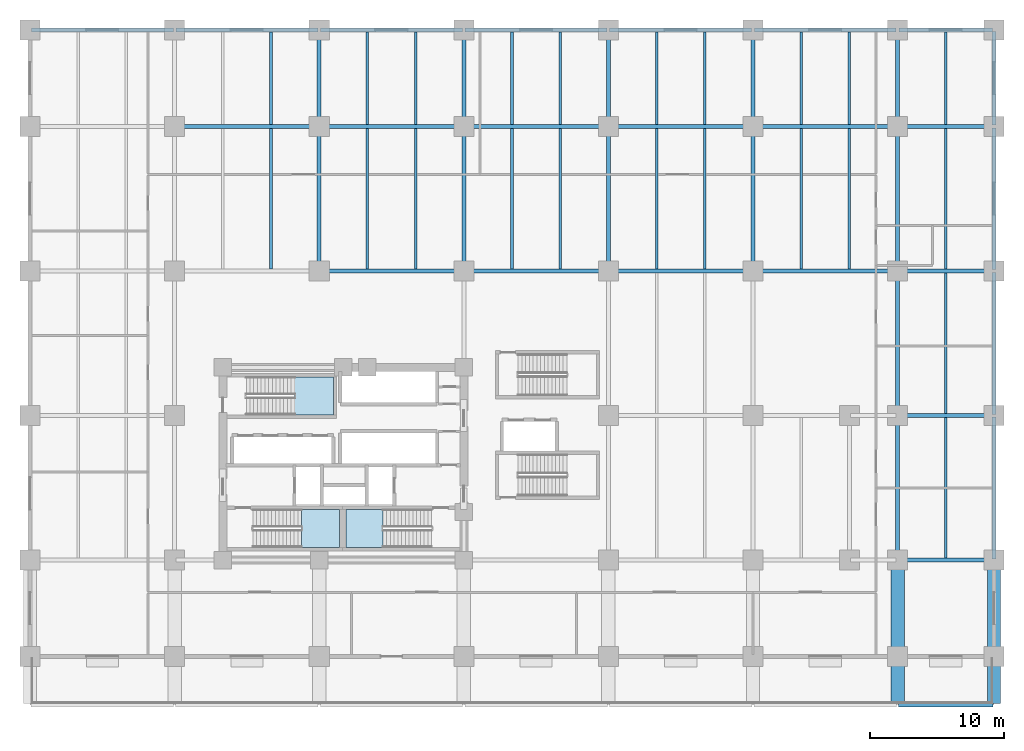
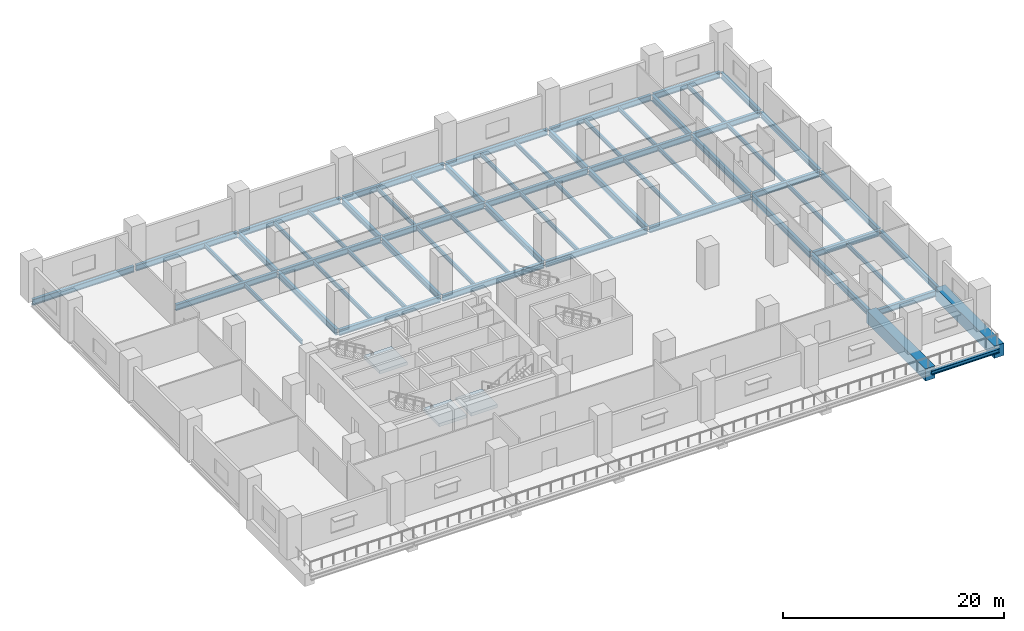
# One storey, part 2 of 11: 61 beams, 3 slabs, 3 elements without a shape of their own.
"""IFC4 building model written with IfcOpenShell, lengths in metres."""

from ifc_helpers import new_model, si_unit, direction, frame, origin, origin_2d, place, context, subcontext, project, spatial, polyline, rectangle, i_section, outline, extrude, material, layer, layer_set, material_profile, profile_set, type_object, element, aggregate, save


model = new_model("IFC4")

# Units and contexts
model_context = context("Model", 3, precision=1e-05, world=origin(), true_north=direction((0.0, 1.0)))
body_context = subcontext(model_context, "Body", "Model", "MODEL_VIEW")
ifc_project = project(units=[si_unit("LENGTHUNIT", "METRE"), si_unit("AREAUNIT", "SQUARE_METRE"), si_unit("VOLUMEUNIT", "CUBIC_METRE"), si_unit("PLANEANGLEUNIT", "RADIAN"), si_unit("MASSUNIT", "GRAM", prefix="KILO")], contexts=[model_context])

# Site, building, storey
site_placement = place(None, origin())
site = spatial("IfcSite", under=ifc_project, at=site_placement, CompositionType="ELEMENT")
building_placement = place(site_placement, origin())
building = spatial("IfcBuilding", under=site, at=building_placement, Name="Solnavia Interchange Tower", CompositionType="ELEMENT")
storey_placement = place(building_placement, frame((0.0, 0.0, 14.800048828125)))
storey = spatial("IfcBuildingStorey", under=building, at=storey_placement, Name="L03", CompositionType="ELEMENT", Elevation=14.800048828125)

# Beams
ifc_material_1 = material(Name="Steel S460", Category="steel")
ifc_material_profile_1 = material_profile(ifc_material_1, i_section(OverallWidth=0.300048828125, OverallDepth=0.449951171875, WebThickness=0.013916015625, FlangeThickness=0.02587890625, FilletRadius=0.027099609375, at=origin_2d()), Name="HEB 450")
ifc_profile_set_1 = profile_set([ifc_material_profile_1], Name="Steel S460")
beam_type_1 = type_object("IfcBeamType", Name="Beam-Girder-HEB450", PredefinedType="BEAM", material=ifc_profile_set_1)
beam_1_placement = place(storey_placement, frame((64.8798828125, 0.0, -0.525146484375), z_axis=(1.0, 0.0, 0.0), x_axis=(0.0, 1.0, 0.0)))
element("IfcBeam", 1, at=beam_1_placement, inside=storey, type_object=beam_type_1, Name="GRD-L03-RFS15 South terrace edge girder", PredefinedType="BEAM", context=body_context, shape_type="SweptSolid", body=[
    extrude(i_section(OverallWidth=0.300048828125, OverallDepth=0.449951171875, WebThickness=0.013916015625, FlangeThickness=0.02587890625, FilletRadius=0.027099609375, at=origin_2d()), origin(), (0.0, 0.0, 1.0), 7.0400390625),
])
ifc_material_profile_2 = material_profile(ifc_material_1, i_section(OverallWidth=0.300048828125, OverallDepth=0.64990234375, WebThickness=0.01611328125, FlangeThickness=0.031005859375, FilletRadius=0.027099609375, at=origin_2d()), Name="HEB 650")
ifc_profile_set_2 = profile_set([ifc_material_profile_2], Name="Steel S460")
beam_type_2 = type_object("IfcBeamType", Name="Beam-Girder-HEB650", PredefinedType="BEAM", material=ifc_profile_set_2)
for number, where, z_axis, x_axis, name in (
    (2, (64.89990234375, 10.800048828125, -0.625), (1.0, 0.0, 0.0), (0.0, 1.0, 0.0), "GRD-L03-09 Podium primary girder"),
    (3, (64.89990234375, 21.60009765625, -0.625), (1.0, 0.0, 0.0), (0.0, 1.0, 0.0), "GRD-L03-14 Podium primary girder"),
):
    element("IfcBeam", number, at=place(storey_placement, frame(where, z_axis=z_axis, x_axis=x_axis)), inside=storey, type_object=beam_type_2, Name=name, PredefinedType="BEAM", context=body_context, shape_type="SweptSolid", body=[
        extrude(i_section(OverallWidth=0.300048828125, OverallDepth=0.64990234375, WebThickness=0.01611328125, FlangeThickness=0.031005859375, FilletRadius=0.027099609375, at=origin_2d()), origin(), (0.0, 0.0, 1.0), 7.0),
    ])
for number, where, z_axis, x_axis, name in (
    (4, (21.699951171875, 32.39990234375, -0.625), (1.0, 0.0, 0.0), (0.0, 1.0, 0.0), "GRD-L03-18 Podium primary girder"),
    (5, (32.5, 32.39990234375, -0.625), (1.0, 0.0, 0.0), (0.0, 1.0, 0.0), "GRD-L03-19 Podium primary girder"),
):
    element("IfcBeam", number, at=place(storey_placement, frame(where, z_axis=z_axis, x_axis=x_axis)), inside=storey, type_object=beam_type_2, Name=name, PredefinedType="BEAM", context=body_context, shape_type="SweptSolid", body=[
        extrude(i_section(OverallWidth=0.300048828125, OverallDepth=0.64990234375, WebThickness=0.01611328125, FlangeThickness=0.031005859375, FilletRadius=0.027099609375, at=origin_2d()), origin(), (0.0, 0.0, 1.0), 10.60009765625),
    ])
for number, where, z_axis, x_axis, name in (
    (6, (43.300048828125, 32.39990234375, -0.625), (1.0, 0.0, 0.0), (0.0, 1.0, 0.0), "GRD-L03-20 Podium primary girder"),
    (7, (54.10009765625, 32.39990234375, -0.625), (1.0, 0.0, 0.0), (0.0, 1.0, 0.0), "GRD-L03-21 Podium primary girder"),
):
    element("IfcBeam", number, at=place(storey_placement, frame(where, z_axis=z_axis, x_axis=x_axis)), inside=storey, type_object=beam_type_2, Name=name, PredefinedType="BEAM", context=body_context, shape_type="SweptSolid", body=[
        extrude(i_section(OverallWidth=0.300048828125, OverallDepth=0.64990234375, WebThickness=0.01611328125, FlangeThickness=0.031005859375, FilletRadius=0.027099609375, at=origin_2d()), origin(), (0.0, 0.0, 1.0), 10.599853515625),
    ])
beam_2_placement = place(storey_placement, frame((64.89990234375, 32.39990234375, -0.625), z_axis=(1.0, 0.0, 0.0), x_axis=(0.0, 1.0, 0.0)))
element("IfcBeam", 8, at=beam_2_placement, inside=storey, type_object=beam_type_2, Name="GRD-L03-22 Podium primary girder", PredefinedType="BEAM", context=body_context, shape_type="SweptSolid", body=[
    extrude(i_section(OverallWidth=0.300048828125, OverallDepth=0.64990234375, WebThickness=0.01611328125, FlangeThickness=0.031005859375, FilletRadius=0.027099609375, at=origin_2d()), origin(), (0.0, 0.0, 1.0), 7.0),
])
for number, where, z_axis, x_axis, name in (
    (9, (10.89990234375, 43.199951171875, -0.625), (1.0, 0.0, 0.0), (0.0, 1.0, 0.0), "GRD-L03-24 Podium primary girder"),
    (10, (21.699951171875, 43.199951171875, -0.625), (1.0, 0.0, 0.0), (0.0, 1.0, 0.0), "GRD-L03-25 Podium primary girder"),
    (11, (32.5, 43.199951171875, -0.625), (1.0, 0.0, 0.0), (0.0, 1.0, 0.0), "GRD-L03-26 Podium primary girder"),
):
    element("IfcBeam", number, at=place(storey_placement, frame(where, z_axis=z_axis, x_axis=x_axis)), inside=storey, type_object=beam_type_2, Name=name, PredefinedType="BEAM", context=body_context, shape_type="SweptSolid", body=[
        extrude(i_section(OverallWidth=0.300048828125, OverallDepth=0.64990234375, WebThickness=0.01611328125, FlangeThickness=0.031005859375, FilletRadius=0.027099609375, at=origin_2d()), origin(), (0.0, 0.0, 1.0), 10.60009765625),
    ])
for number, where, z_axis, x_axis, name in (
    (12, (43.300048828125, 43.199951171875, -0.625), (1.0, 0.0, 0.0), (0.0, 1.0, 0.0), "GRD-L03-27 Podium primary girder"),
    (13, (54.10009765625, 43.199951171875, -0.625), (1.0, 0.0, 0.0), (0.0, 1.0, 0.0), "GRD-L03-28 Podium primary girder"),
):
    element("IfcBeam", number, at=place(storey_placement, frame(where, z_axis=z_axis, x_axis=x_axis)), inside=storey, type_object=beam_type_2, Name=name, PredefinedType="BEAM", context=body_context, shape_type="SweptSolid", body=[
        extrude(i_section(OverallWidth=0.300048828125, OverallDepth=0.64990234375, WebThickness=0.01611328125, FlangeThickness=0.031005859375, FilletRadius=0.027099609375, at=origin_2d()), origin(), (0.0, 0.0, 1.0), 10.599853515625),
    ])
beam_3_placement = place(storey_placement, frame((64.89990234375, 43.199951171875, -0.625), z_axis=(1.0, 0.0, 0.0), x_axis=(0.0, 1.0, 0.0)))
element("IfcBeam", 14, at=beam_3_placement, inside=storey, type_object=beam_type_2, Name="GRD-L03-29 Podium primary girder", PredefinedType="BEAM", context=body_context, shape_type="SweptSolid", body=[
    extrude(i_section(OverallWidth=0.300048828125, OverallDepth=0.64990234375, WebThickness=0.01611328125, FlangeThickness=0.031005859375, FilletRadius=0.027099609375, at=origin_2d()), origin(), (0.0, 0.0, 1.0), 7.0),
])
beam_4_placement = place(storey_placement, frame((0.10009765625, 50.39990234375, -0.625), z_axis=(1.0, 0.0, 0.0), x_axis=(0.0, 1.0, 0.0)))
element("IfcBeam", 15, at=beam_4_placement, inside=storey, type_object=beam_type_2, Name="GRD-L03-30 Podium primary girder", PredefinedType="BEAM", context=body_context, shape_type="SweptSolid", body=[
    extrude(i_section(OverallWidth=0.300048828125, OverallDepth=0.64990234375, WebThickness=0.01611328125, FlangeThickness=0.031005859375, FilletRadius=0.027099609375, at=origin_2d()), origin(), (0.0, 0.0, 1.0), 10.599853515625),
])
for number, where, z_axis, x_axis, name in (
    (16, (10.89990234375, 50.39990234375, -0.625), (1.0, 0.0, 0.0), (0.0, 1.0, 0.0), "GRD-L03-31 Podium primary girder"),
    (17, (21.699951171875, 50.39990234375, -0.625), (1.0, 0.0, 0.0), (0.0, 1.0, 0.0), "GRD-L03-32 Podium primary girder"),
    (18, (32.5, 50.39990234375, -0.625), (1.0, 0.0, 0.0), (0.0, 1.0, 0.0), "GRD-L03-33 Podium primary girder"),
):
    element("IfcBeam", number, at=place(storey_placement, frame(where, z_axis=z_axis, x_axis=x_axis)), inside=storey, type_object=beam_type_2, Name=name, PredefinedType="BEAM", context=body_context, shape_type="SweptSolid", body=[
        extrude(i_section(OverallWidth=0.300048828125, OverallDepth=0.64990234375, WebThickness=0.01611328125, FlangeThickness=0.031005859375, FilletRadius=0.027099609375, at=origin_2d()), origin(), (0.0, 0.0, 1.0), 10.60009765625),
    ])
for number, where, z_axis, x_axis, name in (
    (19, (43.300048828125, 50.39990234375, -0.625), (1.0, 0.0, 0.0), (0.0, 1.0, 0.0), "GRD-L03-34 Podium primary girder"),
    (20, (54.10009765625, 50.39990234375, -0.625), (1.0, 0.0, 0.0), (0.0, 1.0, 0.0), "GRD-L03-35 Podium primary girder"),
):
    element("IfcBeam", number, at=place(storey_placement, frame(where, z_axis=z_axis, x_axis=x_axis)), inside=storey, type_object=beam_type_2, Name=name, PredefinedType="BEAM", context=body_context, shape_type="SweptSolid", body=[
        extrude(i_section(OverallWidth=0.300048828125, OverallDepth=0.64990234375, WebThickness=0.01611328125, FlangeThickness=0.031005859375, FilletRadius=0.027099609375, at=origin_2d()), origin(), (0.0, 0.0, 1.0), 10.599853515625),
    ])
beam_5_placement = place(storey_placement, frame((64.89990234375, 50.39990234375, -0.625), z_axis=(1.0, 0.0, 0.0), x_axis=(0.0, 1.0, 0.0)))
element("IfcBeam", 21, at=beam_5_placement, inside=storey, type_object=beam_type_2, Name="GRD-L03-36 Podium primary girder", PredefinedType="BEAM", context=body_context, shape_type="SweptSolid", body=[
    extrude(i_section(OverallWidth=0.300048828125, OverallDepth=0.64990234375, WebThickness=0.01611328125, FlangeThickness=0.031005859375, FilletRadius=0.027099609375, at=origin_2d()), origin(), (0.0, 0.0, 1.0), 7.0),
])
beam_6_placement = place(storey_placement, frame((21.60009765625, 32.5, -0.625), z_axis=(0.0, 1.0, 0.0), x_axis=(-1.0, 0.0, 0.0)))
element("IfcBeam", 22, at=beam_6_placement, inside=storey, type_object=beam_type_2, Name="GRD-L03-45 Podium primary girder", PredefinedType="BEAM", context=body_context, shape_type="SweptSolid", body=[
    extrude(i_section(OverallWidth=0.300048828125, OverallDepth=0.64990234375, WebThickness=0.01611328125, FlangeThickness=0.031005859375, FilletRadius=0.027099609375, at=origin_2d()), origin(), (0.0, 0.0, 1.0), 10.60009765625),
])
beam_7_placement = place(storey_placement, frame((21.60009765625, 43.300048828125, -0.625), z_axis=(0.0, 1.0, 0.0), x_axis=(-1.0, 0.0, 0.0)))
element("IfcBeam", 23, at=beam_7_placement, inside=storey, type_object=beam_type_2, Name="GRD-L03-46 Podium primary girder", PredefinedType="BEAM", context=body_context, shape_type="SweptSolid", body=[
    extrude(i_section(OverallWidth=0.300048828125, OverallDepth=0.64990234375, WebThickness=0.01611328125, FlangeThickness=0.031005859375, FilletRadius=0.027099609375, at=origin_2d()), origin(), (0.0, 0.0, 1.0), 7.0),
])
beam_8_placement = place(storey_placement, frame((32.39990234375, 32.5, -0.625), z_axis=(0.0, 1.0, 0.0), x_axis=(-1.0, 0.0, 0.0)))
element("IfcBeam", 24, at=beam_8_placement, inside=storey, type_object=beam_type_2, Name="GRD-L03-49 Podium primary girder", PredefinedType="BEAM", context=body_context, shape_type="SweptSolid", body=[
    extrude(i_section(OverallWidth=0.300048828125, OverallDepth=0.64990234375, WebThickness=0.01611328125, FlangeThickness=0.031005859375, FilletRadius=0.027099609375, at=origin_2d()), origin(), (0.0, 0.0, 1.0), 10.60009765625),
])
beam_9_placement = place(storey_placement, frame((32.39990234375, 43.300048828125, -0.625), z_axis=(0.0, 1.0, 0.0), x_axis=(-1.0, 0.0, 0.0)))
element("IfcBeam", 25, at=beam_9_placement, inside=storey, type_object=beam_type_2, Name="GRD-L03-50 Podium primary girder", PredefinedType="BEAM", context=body_context, shape_type="SweptSolid", body=[
    extrude(i_section(OverallWidth=0.300048828125, OverallDepth=0.64990234375, WebThickness=0.01611328125, FlangeThickness=0.031005859375, FilletRadius=0.027099609375, at=origin_2d()), origin(), (0.0, 0.0, 1.0), 7.0),
])
beam_10_placement = place(storey_placement, frame((43.199951171875, 32.5, -0.625), z_axis=(0.0, 1.0, 0.0), x_axis=(-1.0, 0.0, 0.0)))
element("IfcBeam", 26, at=beam_10_placement, inside=storey, type_object=beam_type_2, Name="GRD-L03-53 Podium primary girder", PredefinedType="BEAM", context=body_context, shape_type="SweptSolid", body=[
    extrude(i_section(OverallWidth=0.300048828125, OverallDepth=0.64990234375, WebThickness=0.01611328125, FlangeThickness=0.031005859375, FilletRadius=0.027099609375, at=origin_2d()), origin(), (0.0, 0.0, 1.0), 10.60009765625),
])
beam_11_placement = place(storey_placement, frame((43.199951171875, 43.300048828125, -0.625), z_axis=(0.0, 1.0, 0.0), x_axis=(-1.0, 0.0, 0.0)))
element("IfcBeam", 27, at=beam_11_placement, inside=storey, type_object=beam_type_2, Name="GRD-L03-54 Podium primary girder", PredefinedType="BEAM", context=body_context, shape_type="SweptSolid", body=[
    extrude(i_section(OverallWidth=0.300048828125, OverallDepth=0.64990234375, WebThickness=0.01611328125, FlangeThickness=0.031005859375, FilletRadius=0.027099609375, at=origin_2d()), origin(), (0.0, 0.0, 1.0), 7.0),
])
beam_12_placement = place(storey_placement, frame((54.0, 32.5, -0.625), z_axis=(0.0, 1.0, 0.0), x_axis=(-1.0, 0.0, 0.0)))
element("IfcBeam", 28, at=beam_12_placement, inside=storey, type_object=beam_type_2, Name="GRD-L03-57 Podium primary girder", PredefinedType="BEAM", context=body_context, shape_type="SweptSolid", body=[
    extrude(i_section(OverallWidth=0.300048828125, OverallDepth=0.64990234375, WebThickness=0.01611328125, FlangeThickness=0.031005859375, FilletRadius=0.027099609375, at=origin_2d()), origin(), (0.0, 0.0, 1.0), 10.60009765625),
])
beam_13_placement = place(storey_placement, frame((54.0, 43.300048828125, -0.625), z_axis=(0.0, 1.0, 0.0), x_axis=(-1.0, 0.0, 0.0)))
element("IfcBeam", 29, at=beam_13_placement, inside=storey, type_object=beam_type_2, Name="GRD-L03-58 Podium primary girder", PredefinedType="BEAM", context=body_context, shape_type="SweptSolid", body=[
    extrude(i_section(OverallWidth=0.300048828125, OverallDepth=0.64990234375, WebThickness=0.01611328125, FlangeThickness=0.031005859375, FilletRadius=0.027099609375, at=origin_2d()), origin(), (0.0, 0.0, 1.0), 7.0),
])
for number, where, z_axis, x_axis, name in (
    (30, (64.800048828125, 10.89990234375, -0.625), (0.0, 1.0, 0.0), (-1.0, 0.0, 0.0), "GRD-L03-60 Podium primary girder"),
    (31, (64.800048828125, 21.699951171875, -0.625), (0.0, 1.0, 0.0), (-1.0, 0.0, 0.0), "GRD-L03-61 Podium primary girder"),
    (32, (64.800048828125, 32.5, -0.625), (0.0, 1.0, 0.0), (-1.0, 0.0, 0.0), "GRD-L03-62 Podium primary girder"),
):
    element("IfcBeam", number, at=place(storey_placement, frame(where, z_axis=z_axis, x_axis=x_axis)), inside=storey, type_object=beam_type_2, Name=name, PredefinedType="BEAM", context=body_context, shape_type="SweptSolid", body=[
        extrude(i_section(OverallWidth=0.300048828125, OverallDepth=0.64990234375, WebThickness=0.01611328125, FlangeThickness=0.031005859375, FilletRadius=0.027099609375, at=origin_2d()), origin(), (0.0, 0.0, 1.0), 10.60009765625),
    ])
beam_14_placement = place(storey_placement, frame((64.800048828125, 43.300048828125, -0.625), z_axis=(0.0, 1.0, 0.0), x_axis=(-1.0, 0.0, 0.0)))
element("IfcBeam", 33, at=beam_14_placement, inside=storey, type_object=beam_type_2, Name="GRD-L03-63 Podium primary girder", PredefinedType="BEAM", context=body_context, shape_type="SweptSolid", body=[
    extrude(i_section(OverallWidth=0.300048828125, OverallDepth=0.64990234375, WebThickness=0.01611328125, FlangeThickness=0.031005859375, FilletRadius=0.027099609375, at=origin_2d()), origin(), (0.0, 0.0, 1.0), 7.0),
])
for number, where, z_axis, x_axis, name in (
    (34, (72.0, 10.89990234375, -0.625), (0.0, 1.0, 0.0), (-1.0, 0.0, 0.0), "GRD-L03-64 Podium primary girder"),
    (35, (72.0, 21.699951171875, -0.625), (0.0, 1.0, 0.0), (-1.0, 0.0, 0.0), "GRD-L03-65 Podium primary girder"),
    (36, (72.0, 32.5, -0.625), (0.0, 1.0, 0.0), (-1.0, 0.0, 0.0), "GRD-L03-66 Podium primary girder"),
):
    element("IfcBeam", number, at=place(storey_placement, frame(where, z_axis=z_axis, x_axis=x_axis)), inside=storey, type_object=beam_type_2, Name=name, PredefinedType="BEAM", context=body_context, shape_type="SweptSolid", body=[
        extrude(i_section(OverallWidth=0.300048828125, OverallDepth=0.64990234375, WebThickness=0.01611328125, FlangeThickness=0.031005859375, FilletRadius=0.027099609375, at=origin_2d()), origin(), (0.0, 0.0, 1.0), 10.60009765625),
    ])
beam_15_placement = place(storey_placement, frame((72.0, 43.300048828125, -0.625), z_axis=(0.0, 1.0, 0.0), x_axis=(-1.0, 0.0, 0.0)))
element("IfcBeam", 37, at=beam_15_placement, inside=storey, type_object=beam_type_2, Name="GRD-L03-67 Podium primary girder", PredefinedType="BEAM", context=body_context, shape_type="SweptSolid", body=[
    extrude(i_section(OverallWidth=0.300048828125, OverallDepth=0.64990234375, WebThickness=0.01611328125, FlangeThickness=0.031005859375, FilletRadius=0.027099609375, at=origin_2d()), origin(), (0.0, 0.0, 1.0), 7.0),
])
ifc_material_2 = material(Name="Steel S355", Category="steel")
ifc_material_profile_3 = material_profile(ifc_material_2, i_section(OverallWidth=0.18994140625, OverallDepth=0.449951171875, WebThickness=0.009521484375, FlangeThickness=0.0146484375, FilletRadius=0.02099609375, at=origin_2d()), Name="IPE 450")
ifc_profile_set_3 = profile_set([ifc_material_profile_3], Name="Steel S355")
beam_type_3 = type_object("IfcBeamType", Name="Beam-Joist-IPE450", PredefinedType="JOIST", material=ifc_profile_set_3)
beam_16_placement = place(storey_placement, frame((18.0, 32.550048828125, -0.525146484375), z_axis=(0.0, 1.0, 0.0), x_axis=(-1.0, 0.0, 0.0)))
element("IfcBeam", 38, at=beam_16_placement, inside=storey, type_object=beam_type_3, Name="JST-L03-11 Podium composite floor joist", PredefinedType="JOIST", context=body_context, shape_type="SweptSolid", body=[
    extrude(i_section(OverallWidth=0.18994140625, OverallDepth=0.449951171875, WebThickness=0.009521484375, FlangeThickness=0.0146484375, FilletRadius=0.02099609375, at=origin_2d()), origin(), (0.0, 0.0, 1.0), 10.5),
])
beam_17_placement = place(storey_placement, frame((18.0, 43.35009765625, -0.525146484375), z_axis=(0.0, 1.0, 0.0), x_axis=(-1.0, 0.0, 0.0)))
element("IfcBeam", 39, at=beam_17_placement, inside=storey, type_object=beam_type_3, Name="JST-L03-12 Podium composite floor joist", PredefinedType="JOIST", context=body_context, shape_type="SweptSolid", body=[
    extrude(i_section(OverallWidth=0.18994140625, OverallDepth=0.449951171875, WebThickness=0.009521484375, FlangeThickness=0.0146484375, FilletRadius=0.02099609375, at=origin_2d()), origin(), (0.0, 0.0, 1.0), 6.89990234375),
])
beam_18_placement = place(storey_placement, frame((25.199951171875, 32.550048828125, -0.525146484375), z_axis=(0.0, 1.0, 0.0), x_axis=(-1.0, 0.0, 0.0)))
element("IfcBeam", 40, at=beam_18_placement, inside=storey, type_object=beam_type_3, Name="JST-L03-13 Podium composite floor joist", PredefinedType="JOIST", context=body_context, shape_type="SweptSolid", body=[
    extrude(i_section(OverallWidth=0.18994140625, OverallDepth=0.449951171875, WebThickness=0.009521484375, FlangeThickness=0.0146484375, FilletRadius=0.02099609375, at=origin_2d()), origin(), (0.0, 0.0, 1.0), 10.5),
])
beam_19_placement = place(storey_placement, frame((25.199951171875, 43.35009765625, -0.525146484375), z_axis=(0.0, 1.0, 0.0), x_axis=(-1.0, 0.0, 0.0)))
element("IfcBeam", 41, at=beam_19_placement, inside=storey, type_object=beam_type_3, Name="JST-L03-14 Podium composite floor joist", PredefinedType="JOIST", context=body_context, shape_type="SweptSolid", body=[
    extrude(i_section(OverallWidth=0.18994140625, OverallDepth=0.449951171875, WebThickness=0.009521484375, FlangeThickness=0.0146484375, FilletRadius=0.02099609375, at=origin_2d()), origin(), (0.0, 0.0, 1.0), 6.89990234375),
])
beam_20_placement = place(storey_placement, frame((28.800048828125, 32.550048828125, -0.525146484375), z_axis=(0.0, 1.0, 0.0), x_axis=(-1.0, 0.0, 0.0)))
element("IfcBeam", 42, at=beam_20_placement, inside=storey, type_object=beam_type_3, Name="JST-L03-15 Podium composite floor joist", PredefinedType="JOIST", context=body_context, shape_type="SweptSolid", body=[
    extrude(i_section(OverallWidth=0.18994140625, OverallDepth=0.449951171875, WebThickness=0.009521484375, FlangeThickness=0.0146484375, FilletRadius=0.02099609375, at=origin_2d()), origin(), (0.0, 0.0, 1.0), 10.5),
])
beam_21_placement = place(storey_placement, frame((28.800048828125, 43.35009765625, -0.525146484375), z_axis=(0.0, 1.0, 0.0), x_axis=(-1.0, 0.0, 0.0)))
element("IfcBeam", 43, at=beam_21_placement, inside=storey, type_object=beam_type_3, Name="JST-L03-16 Podium composite floor joist", PredefinedType="JOIST", context=body_context, shape_type="SweptSolid", body=[
    extrude(i_section(OverallWidth=0.18994140625, OverallDepth=0.449951171875, WebThickness=0.009521484375, FlangeThickness=0.0146484375, FilletRadius=0.02099609375, at=origin_2d()), origin(), (0.0, 0.0, 1.0), 6.89990234375),
])
beam_22_placement = place(storey_placement, frame((36.0, 32.550048828125, -0.525146484375), z_axis=(0.0, 1.0, 0.0), x_axis=(-1.0, 0.0, 0.0)))
element("IfcBeam", 44, at=beam_22_placement, inside=storey, type_object=beam_type_3, Name="JST-L03-17 Podium composite floor joist", PredefinedType="JOIST", context=body_context, shape_type="SweptSolid", body=[
    extrude(i_section(OverallWidth=0.18994140625, OverallDepth=0.449951171875, WebThickness=0.009521484375, FlangeThickness=0.0146484375, FilletRadius=0.02099609375, at=origin_2d()), origin(), (0.0, 0.0, 1.0), 10.5),
])
beam_23_placement = place(storey_placement, frame((36.0, 43.35009765625, -0.525146484375), z_axis=(0.0, 1.0, 0.0), x_axis=(-1.0, 0.0, 0.0)))
element("IfcBeam", 45, at=beam_23_placement, inside=storey, type_object=beam_type_3, Name="JST-L03-18 Podium composite floor joist", PredefinedType="JOIST", context=body_context, shape_type="SweptSolid", body=[
    extrude(i_section(OverallWidth=0.18994140625, OverallDepth=0.449951171875, WebThickness=0.009521484375, FlangeThickness=0.0146484375, FilletRadius=0.02099609375, at=origin_2d()), origin(), (0.0, 0.0, 1.0), 6.89990234375),
])
beam_24_placement = place(storey_placement, frame((39.60009765625, 32.550048828125, -0.525146484375), z_axis=(0.0, 1.0, 0.0), x_axis=(-1.0, 0.0, 0.0)))
element("IfcBeam", 46, at=beam_24_placement, inside=storey, type_object=beam_type_3, Name="JST-L03-19 Podium composite floor joist", PredefinedType="JOIST", context=body_context, shape_type="SweptSolid", body=[
    extrude(i_section(OverallWidth=0.18994140625, OverallDepth=0.449951171875, WebThickness=0.009521484375, FlangeThickness=0.0146484375, FilletRadius=0.02099609375, at=origin_2d()), origin(), (0.0, 0.0, 1.0), 10.5),
])
beam_25_placement = place(storey_placement, frame((39.60009765625, 43.35009765625, -0.525146484375), z_axis=(0.0, 1.0, 0.0), x_axis=(-1.0, 0.0, 0.0)))
element("IfcBeam", 47, at=beam_25_placement, inside=storey, type_object=beam_type_3, Name="JST-L03-20 Podium composite floor joist", PredefinedType="JOIST", context=body_context, shape_type="SweptSolid", body=[
    extrude(i_section(OverallWidth=0.18994140625, OverallDepth=0.449951171875, WebThickness=0.009521484375, FlangeThickness=0.0146484375, FilletRadius=0.02099609375, at=origin_2d()), origin(), (0.0, 0.0, 1.0), 6.89990234375),
])
beam_26_placement = place(storey_placement, frame((46.800048828125, 32.550048828125, -0.525146484375), z_axis=(0.0, 1.0, 0.0), x_axis=(-1.0, 0.0, 0.0)))
element("IfcBeam", 48, at=beam_26_placement, inside=storey, type_object=beam_type_3, Name="JST-L03-23 Podium composite floor joist", PredefinedType="JOIST", context=body_context, shape_type="SweptSolid", body=[
    extrude(i_section(OverallWidth=0.18994140625, OverallDepth=0.449951171875, WebThickness=0.009521484375, FlangeThickness=0.0146484375, FilletRadius=0.02099609375, at=origin_2d()), origin(), (0.0, 0.0, 1.0), 10.5),
])
beam_27_placement = place(storey_placement, frame((46.800048828125, 43.35009765625, -0.525146484375), z_axis=(0.0, 1.0, 0.0), x_axis=(-1.0, 0.0, 0.0)))
element("IfcBeam", 49, at=beam_27_placement, inside=storey, type_object=beam_type_3, Name="JST-L03-24 Podium composite floor joist", PredefinedType="JOIST", context=body_context, shape_type="SweptSolid", body=[
    extrude(i_section(OverallWidth=0.18994140625, OverallDepth=0.449951171875, WebThickness=0.009521484375, FlangeThickness=0.0146484375, FilletRadius=0.02099609375, at=origin_2d()), origin(), (0.0, 0.0, 1.0), 6.89990234375),
])
beam_28_placement = place(storey_placement, frame((50.39990234375, 32.550048828125, -0.525146484375), z_axis=(0.0, 1.0, 0.0), x_axis=(-1.0, 0.0, 0.0)))
element("IfcBeam", 50, at=beam_28_placement, inside=storey, type_object=beam_type_3, Name="JST-L03-27 Podium composite floor joist", PredefinedType="JOIST", context=body_context, shape_type="SweptSolid", body=[
    extrude(i_section(OverallWidth=0.18994140625, OverallDepth=0.449951171875, WebThickness=0.009521484375, FlangeThickness=0.0146484375, FilletRadius=0.02099609375, at=origin_2d()), origin(), (0.0, 0.0, 1.0), 10.5),
])
beam_29_placement = place(storey_placement, frame((50.39990234375, 43.35009765625, -0.525146484375), z_axis=(0.0, 1.0, 0.0), x_axis=(-1.0, 0.0, 0.0)))
element("IfcBeam", 51, at=beam_29_placement, inside=storey, type_object=beam_type_3, Name="JST-L03-28 Podium composite floor joist", PredefinedType="JOIST", context=body_context, shape_type="SweptSolid", body=[
    extrude(i_section(OverallWidth=0.18994140625, OverallDepth=0.449951171875, WebThickness=0.009521484375, FlangeThickness=0.0146484375, FilletRadius=0.02099609375, at=origin_2d()), origin(), (0.0, 0.0, 1.0), 6.89990234375),
])
beam_30_placement = place(storey_placement, frame((57.60009765625, 32.550048828125, -0.525146484375), z_axis=(0.0, 1.0, 0.0), x_axis=(-1.0, 0.0, 0.0)))
element("IfcBeam", 52, at=beam_30_placement, inside=storey, type_object=beam_type_3, Name="JST-L03-30 Podium composite floor joist", PredefinedType="JOIST", context=body_context, shape_type="SweptSolid", body=[
    extrude(i_section(OverallWidth=0.18994140625, OverallDepth=0.449951171875, WebThickness=0.009521484375, FlangeThickness=0.0146484375, FilletRadius=0.02099609375, at=origin_2d()), origin(), (0.0, 0.0, 1.0), 10.5),
])
beam_31_placement = place(storey_placement, frame((57.60009765625, 43.35009765625, -0.525146484375), z_axis=(0.0, 1.0, 0.0), x_axis=(-1.0, 0.0, 0.0)))
element("IfcBeam", 53, at=beam_31_placement, inside=storey, type_object=beam_type_3, Name="JST-L03-31 Podium composite floor joist", PredefinedType="JOIST", context=body_context, shape_type="SweptSolid", body=[
    extrude(i_section(OverallWidth=0.18994140625, OverallDepth=0.449951171875, WebThickness=0.009521484375, FlangeThickness=0.0146484375, FilletRadius=0.02099609375, at=origin_2d()), origin(), (0.0, 0.0, 1.0), 6.89990234375),
])
beam_32_placement = place(storey_placement, frame((61.199951171875, 32.550048828125, -0.525146484375), z_axis=(0.0, 1.0, 0.0), x_axis=(-1.0, 0.0, 0.0)))
element("IfcBeam", 54, at=beam_32_placement, inside=storey, type_object=beam_type_3, Name="JST-L03-32 Podium composite floor joist", PredefinedType="JOIST", context=body_context, shape_type="SweptSolid", body=[
    extrude(i_section(OverallWidth=0.18994140625, OverallDepth=0.449951171875, WebThickness=0.009521484375, FlangeThickness=0.0146484375, FilletRadius=0.02099609375, at=origin_2d()), origin(), (0.0, 0.0, 1.0), 10.5),
])
beam_33_placement = place(storey_placement, frame((61.199951171875, 43.35009765625, -0.525146484375), z_axis=(0.0, 1.0, 0.0), x_axis=(-1.0, 0.0, 0.0)))
element("IfcBeam", 55, at=beam_33_placement, inside=storey, type_object=beam_type_3, Name="JST-L03-33 Podium composite floor joist", PredefinedType="JOIST", context=body_context, shape_type="SweptSolid", body=[
    extrude(i_section(OverallWidth=0.18994140625, OverallDepth=0.449951171875, WebThickness=0.009521484375, FlangeThickness=0.0146484375, FilletRadius=0.02099609375, at=origin_2d()), origin(), (0.0, 0.0, 1.0), 6.89990234375),
])
for number, where, z_axis, x_axis, name in (
    (56, (68.39990234375, 10.949951171875, -0.525146484375), (0.0, 1.0, 0.0), (-1.0, 0.0, 0.0), "JST-L03-34 Podium composite floor joist"),
    (57, (68.39990234375, 21.75, -0.525146484375), (0.0, 1.0, 0.0), (-1.0, 0.0, 0.0), "JST-L03-35 Podium composite floor joist"),
    (58, (68.39990234375, 32.550048828125, -0.525146484375), (0.0, 1.0, 0.0), (-1.0, 0.0, 0.0), "JST-L03-36 Podium composite floor joist"),
):
    element("IfcBeam", number, at=place(storey_placement, frame(where, z_axis=z_axis, x_axis=x_axis)), inside=storey, type_object=beam_type_3, Name=name, PredefinedType="JOIST", context=body_context, shape_type="SweptSolid", body=[
        extrude(i_section(OverallWidth=0.18994140625, OverallDepth=0.449951171875, WebThickness=0.009521484375, FlangeThickness=0.0146484375, FilletRadius=0.02099609375, at=origin_2d()), origin(), (0.0, 0.0, 1.0), 10.5),
    ])
beam_34_placement = place(storey_placement, frame((68.39990234375, 43.35009765625, -0.525146484375), z_axis=(0.0, 1.0, 0.0), x_axis=(-1.0, 0.0, 0.0)))
element("IfcBeam", 59, at=beam_34_placement, inside=storey, type_object=beam_type_3, Name="JST-L03-37 Podium composite floor joist", PredefinedType="JOIST", context=body_context, shape_type="SweptSolid", body=[
    extrude(i_section(OverallWidth=0.18994140625, OverallDepth=0.449951171875, WebThickness=0.009521484375, FlangeThickness=0.0146484375, FilletRadius=0.02099609375, at=origin_2d()), origin(), (0.0, 0.0, 1.0), 6.89990234375),
])
ifc_material_3 = material(Name="Concrete C60/75", Category="concrete")
ifc_material_profile_4 = material_profile(ifc_material_3, rectangle(XDim=1.0, YDim=1.35009765625, at=origin_2d()), Name="RC 1000x1350")
ifc_profile_set_4 = profile_set([ifc_material_profile_4], Name="Concrete C60/75")
beam_type_4 = type_object("IfcBeamType", Name="Beam-Transfer-RC1000x1350", PredefinedType="BEAM", material=ifc_profile_set_4)
for number, where, z_axis, x_axis, name in (
    (60, (64.800048828125, 0.080078125, -0.675048828125), (0.0, 1.0, 0.0), (-1.0, 0.0, 0.0), "TRB-L03-07 Podium south step-back transfer girder"),
    (61, (72.0, 0.080078125, -0.675048828125), (0.0, 1.0, 0.0), (-1.0, 0.0, 0.0), "TRB-L03-08 Podium south step-back transfer girder"),
):
    element("IfcBeam", number, at=place(storey_placement, frame(where, z_axis=z_axis, x_axis=x_axis)), inside=storey, type_object=beam_type_4, Name=name, PredefinedType="BEAM", context=body_context, shape_type="SweptSolid", body=[
        extrude(rectangle(XDim=1.0, YDim=1.35009765625, at=origin_2d()), origin(), (0.0, 0.0, 1.0), 10.639892578125),
    ])

# Stair, slab
ifc_material_4 = material(Name="Concrete C40/50", Category="concrete")
stair_type = type_object("IfcStairType", Name="Stair-Dogleg-RC", PredefinedType="HALF_TURN_STAIR", material=ifc_material_4)
stair_1_placement = place(storey_placement, origin())
stair_1 = element("IfcStair", 62, at=stair_1_placement, inside=storey, type_object=stair_type, Name="L03 Core exit stair 1", PredefinedType="HALF_TURN_STAIR")
ifc_layer = layer(ifc_material_4, 0.35009765625)
ifc_layer_set = layer_set([ifc_layer], Name="Concrete C40/50")
slab_type = type_object("IfcSlabType", Name="Slab-StairLanding-350", PredefinedType="LANDING", material=ifc_layer_set)
slab_1_placement = place(storey_placement, frame((0.0, 0.0, 1.949951171875)))
slab_1 = element("IfcSlab", 63, at=slab_1_placement, type_object=slab_type, Name="ST-1 landing 1", PredefinedType="LANDING", context=body_context, shape_type="SweptSolid", body=[
    extrude(outline(polyline([(20.26806640625, 11.75), (23.10009765625, 11.75), (23.10009765625, 14.590087890625), (20.26806640625, 14.590087890625), (20.26806640625, 11.75)])), origin(), (0.0, 0.0, 1.0), 0.35009765625),
])
aggregate(stair_1, [slab_1])

stair_2_placement = place(storey_placement, origin())
stair_2 = element("IfcStair", 64, at=stair_2_placement, inside=storey, type_object=stair_type, Name="L03 Core exit stair 2", PredefinedType="HALF_TURN_STAIR")
slab_2_placement = place(storey_placement, frame((0.0, 0.0, 1.949951171875)))
slab_2 = element("IfcSlab", 65, at=slab_2_placement, type_object=slab_type, Name="ST-2 landing 1", PredefinedType="LANDING", context=body_context, shape_type="SweptSolid", body=[
    extrude(outline(polyline([(23.60009765625, 11.75), (26.382080078125, 11.75), (26.382080078125, 14.590087890625), (23.60009765625, 14.590087890625), (23.60009765625, 11.75)])), origin(), (0.0, 0.0, 1.0), 0.35009765625),
])
aggregate(stair_2, [slab_2])

stair_3_placement = place(storey_placement, origin())
stair_3 = element("IfcStair", 66, at=stair_3_placement, inside=storey, type_object=stair_type, Name="L03 Core exit stair 3", PredefinedType="HALF_TURN_STAIR")
slab_3_placement = place(storey_placement, frame((0.0, 0.0, 1.949951171875)))
slab_3 = element("IfcSlab", 67, at=slab_3_placement, type_object=slab_type, Name="ST-3 landing 1", PredefinedType="LANDING", context=body_context, shape_type="SweptSolid", body=[
    extrude(outline(polyline([(19.76806640625, 21.64990234375), (22.64990234375, 21.64990234375), (22.64990234375, 24.489990234375), (19.76806640625, 24.489990234375), (19.76806640625, 21.64990234375)])), origin(), (0.0, 0.0, 1.0), 0.35009765625),
])
aggregate(stair_3, [slab_3])

save(model, "model.ifc")
